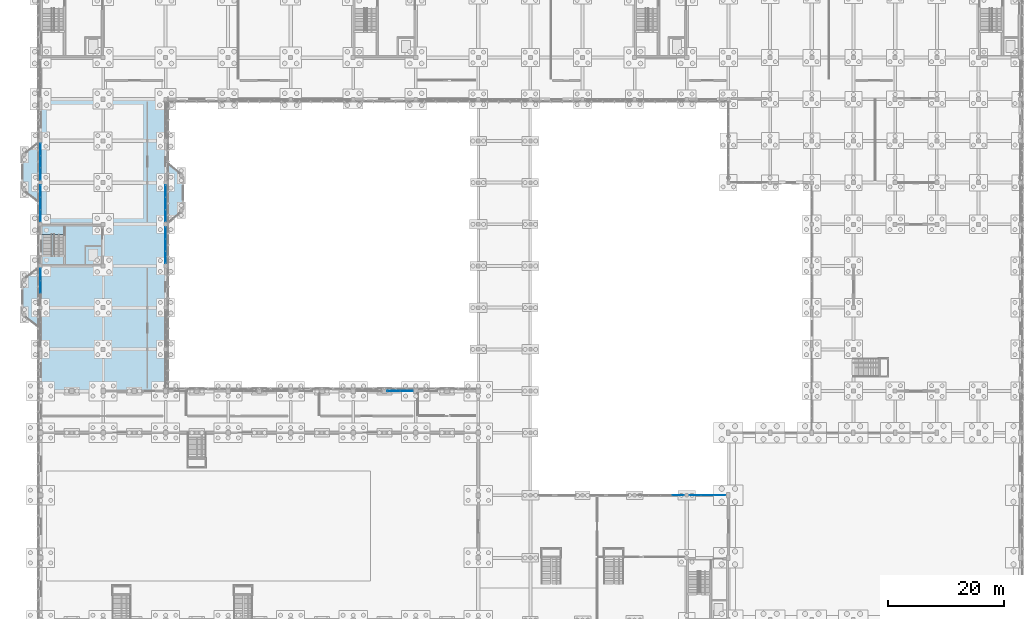
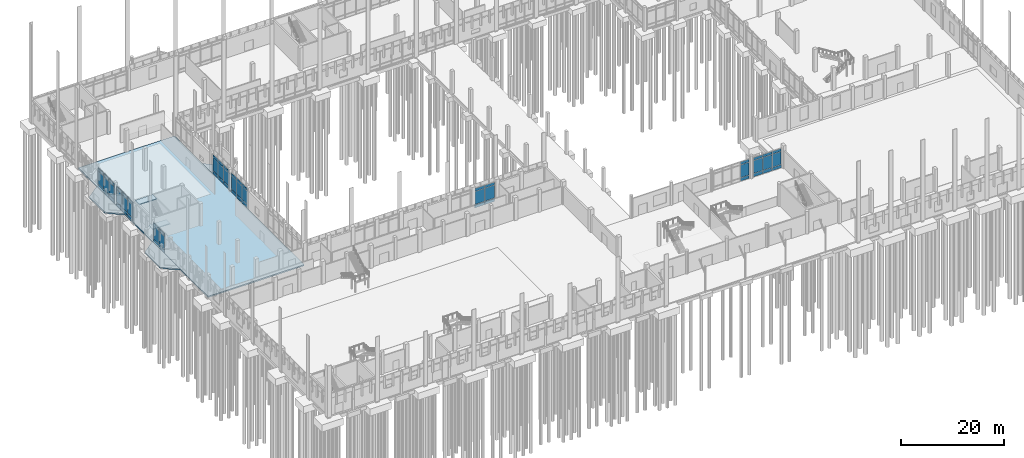
# One storey, part 74 of 109: 60 plates, 6 slabs, 9 elements without a shape of their own.
"""IFC4 building model written with IfcOpenShell, lengths in metres."""

from ifc_helpers import new_model, si_unit, direction, frame, origin, origin_2d, place, context, subcontext, project, spatial, polyline, rectangle, outline, extrude, material, layer, layer_set, type_object, element, aggregate, save


model = new_model("IFC4")

# Units and contexts
model_context = context("Model", 3, precision=1e-05, world=origin(), true_north=direction((0.0, 1.0)))
body_context = subcontext(model_context, "Body", "Model", "MODEL_VIEW")
ifc_project = project(units=[si_unit("LENGTHUNIT", "METRE"), si_unit("AREAUNIT", "SQUARE_METRE"), si_unit("VOLUMEUNIT", "CUBIC_METRE"), si_unit("PLANEANGLEUNIT", "RADIAN"), si_unit("MASSUNIT", "GRAM", prefix="KILO")], contexts=[model_context])

# Site, building, storey
site_placement = place(None, origin())
site = spatial("IfcSite", under=ifc_project, at=site_placement, CompositionType="ELEMENT")
building_placement = place(site_placement, origin())
building = spatial("IfcBuilding", under=site, at=building_placement, Name="Lusvemor Sports Hall", CompositionType="ELEMENT")
storey_placement = place(building_placement, origin())
storey = spatial("IfcBuildingStorey", under=building, at=storey_placement, Name="L00", CompositionType="ELEMENT", Elevation=0.0)

# Curtain wall, plates
ifc_material_1 = material(Name="Thermally broken bronze-anodized aluminium", Category="aluminium")
curtain_wall_type_1 = type_object("IfcCurtainWallType", Name="CW_COURT_C", PredefinedType="NOTDEFINED", material=ifc_material_1)
curtain_wall_1_placement = place(storey_placement, origin())
curtain_wall_1 = element("IfcCurtainWall", 1, at=curtain_wall_1_placement, inside=storey, type_object=curtain_wall_type_1, Name="Curtain Wall CW-V1N-L00-5-B", PredefinedType="NOTDEFINED")
ifc_material_2 = material(Name="Solar-control laminated double glazing", Category="glass")
ifc_layer_1 = layer(ifc_material_2, 0.028076171875)
ifc_layer_set_1 = layer_set([ifc_layer_1], Name="Solar-control laminated double glazing")
plate_type_1 = type_object("IfcPlateType", Name="CW_PAN_GLZ_28", PredefinedType="CURTAIN_PANEL", material=ifc_layer_set_1)
plate_1_placement = place(storey_placement, frame((60.981201171875, 46.800048828125, 0.8798828125), z_axis=(0.0, 0.0, 1.0), x_axis=(1.0, 0.0, 0.0)))
plate_1 = element("IfcPlate", 2, at=plate_1_placement, type_object=plate_type_1, Name="CW03 panel 1.2", PredefinedType="CURTAIN_PANEL", context=body_context, shape_type="SweptSolid", body=[
    extrude(rectangle(XDim=2.172607421875, YDim=0.028076171875, at=origin_2d()), origin(), (0.0, 0.0, 1.0), 3.0400390625),
])
plate_2_placement = place(storey_placement, frame((60.981201171875, 46.800048828125, 3.97998046875), z_axis=(0.0, 0.0, 1.0), x_axis=(1.0, 0.0, 0.0)))
plate_2 = element("IfcPlate", 3, at=plate_2_placement, type_object=plate_type_1, Name="CW03 panel 1.3", PredefinedType="CURTAIN_PANEL", context=body_context, shape_type="SweptSolid", body=[
    extrude(rectangle(XDim=2.172607421875, YDim=0.028076171875, at=origin_2d()), origin(), (0.0, 0.0, 1.0), 0.659912109375),
])
plate_3_placement = place(storey_placement, frame((63.21875, 46.800048828125, 0.8798828125), z_axis=(0.0, 0.0, 1.0), x_axis=(1.0, 0.0, 0.0)))
plate_3 = element("IfcPlate", 4, at=plate_3_placement, type_object=plate_type_1, Name="CW03 panel 2.2", PredefinedType="CURTAIN_PANEL", context=body_context, shape_type="SweptSolid", body=[
    extrude(rectangle(XDim=2.172607421875, YDim=0.028076171875, at=origin_2d()), origin(), (0.0, 0.0, 1.0), 3.0400390625),
])
plate_4_placement = place(storey_placement, frame((63.21875, 46.800048828125, 3.97998046875), z_axis=(0.0, 0.0, 1.0), x_axis=(1.0, 0.0, 0.0)))
plate_4 = element("IfcPlate", 5, at=plate_4_placement, type_object=plate_type_1, Name="CW03 panel 2.3", PredefinedType="CURTAIN_PANEL", context=body_context, shape_type="SweptSolid", body=[
    extrude(rectangle(XDim=2.172607421875, YDim=0.028076171875, at=origin_2d()), origin(), (0.0, 0.0, 1.0), 0.659912109375),
])

ifc_material_3 = material(Name="Thermally broken bronze-anodized aluminium", Category="aluminium")
curtain_wall_type_2 = type_object("IfcCurtainWallType", Name="CW_FOYER_A", PredefinedType="NOTDEFINED", material=ifc_material_3)
curtain_wall_2_placement = place(storey_placement, origin())
curtain_wall_2 = element("IfcCurtainWall", 6, at=curtain_wall_2_placement, inside=storey, type_object=curtain_wall_type_2, Name="Curtain Wall CW-V4N-L00-3", PredefinedType="NOTDEFINED")
plate_5_placement = place(storey_placement, frame((110.12744140625, 28.800048828125, 0.88232421875), z_axis=(0.0, 0.0, 1.0), x_axis=(1.0, 0.0, 0.0)))
plate_5 = element("IfcPlate", 7, at=plate_5_placement, type_object=plate_type_1, Name="CW01 panel 4.2", PredefinedType="CURTAIN_PANEL", context=body_context, shape_type="SweptSolid", body=[
    extrude(rectangle(XDim=1.925048828125, YDim=0.028076171875, at=origin_2d()), origin(), (0.0, 0.0, 1.0), 3.034912109375),
])
plate_6_placement = place(storey_placement, frame((110.12744140625, 28.800048828125, 3.982421875), z_axis=(0.0, 0.0, 1.0), x_axis=(1.0, 0.0, 0.0)))
plate_6 = element("IfcPlate", 8, at=plate_6_placement, type_object=plate_type_1, Name="CW01 panel 4.3", PredefinedType="CURTAIN_PANEL", context=body_context, shape_type="SweptSolid", body=[
    extrude(rectangle(XDim=1.925048828125, YDim=0.028076171875, at=origin_2d()), origin(), (0.0, 0.0, 1.0), 0.652587890625),
])

curtain_wall_3_placement = place(storey_placement, origin())
curtain_wall_3 = element("IfcCurtainWall", 9, at=curtain_wall_3_placement, inside=storey, type_object=curtain_wall_type_2, Name="Curtain Wall CW-V4N-L00-4", PredefinedType="NOTDEFINED")
plate_7_placement = place(storey_placement, frame((113.11083984375, 28.800048828125, 0.88232421875), z_axis=(0.0, 0.0, 1.0), x_axis=(1.0, 0.0, 0.0)))
plate_7 = element("IfcPlate", 10, at=plate_7_placement, type_object=plate_type_1, Name="CW01 panel 1.2", PredefinedType="CURTAIN_PANEL", context=body_context, shape_type="SweptSolid", body=[
    extrude(rectangle(XDim=2.001708984375, YDim=0.028076171875, at=origin_2d()), origin(), (0.0, 0.0, 1.0), 3.034912109375),
])
plate_8_placement = place(storey_placement, frame((113.11083984375, 28.800048828125, 3.982421875), z_axis=(0.0, 0.0, 1.0), x_axis=(1.0, 0.0, 0.0)))
plate_8 = element("IfcPlate", 11, at=plate_8_placement, type_object=plate_type_1, Name="CW01 panel 1.3", PredefinedType="CURTAIN_PANEL", context=body_context, shape_type="SweptSolid", body=[
    extrude(rectangle(XDim=2.001708984375, YDim=0.028076171875, at=origin_2d()), origin(), (0.0, 0.0, 1.0), 0.652587890625),
])
plate_9_placement = place(storey_placement, frame((115.199951171875, 28.800048828125, 0.88232421875), z_axis=(0.0, 0.0, 1.0), x_axis=(1.0, 0.0, 0.0)))
plate_9 = element("IfcPlate", 12, at=plate_9_placement, type_object=plate_type_1, Name="CW01 panel 2.2", PredefinedType="CURTAIN_PANEL", context=body_context, shape_type="SweptSolid", body=[
    extrude(rectangle(XDim=2.03662109375, YDim=0.028076171875, at=origin_2d()), origin(), (0.0, 0.0, 1.0), 3.034912109375),
])
plate_10_placement = place(storey_placement, frame((115.199951171875, 28.800048828125, 3.982421875), z_axis=(0.0, 0.0, 1.0), x_axis=(1.0, 0.0, 0.0)))
plate_10 = element("IfcPlate", 13, at=plate_10_placement, type_object=plate_type_1, Name="CW01 panel 2.3", PredefinedType="CURTAIN_PANEL", context=body_context, shape_type="SweptSolid", body=[
    extrude(rectangle(XDim=2.03662109375, YDim=0.028076171875, at=origin_2d()), origin(), (0.0, 0.0, 1.0), 0.652587890625),
])
plate_11_placement = place(storey_placement, frame((117.2890625, 28.800048828125, 0.88232421875), z_axis=(0.0, 0.0, 1.0), x_axis=(1.0, 0.0, 0.0)))
plate_11 = element("IfcPlate", 14, at=plate_11_placement, type_object=plate_type_1, Name="CW01 panel 3.2", PredefinedType="CURTAIN_PANEL", context=body_context, shape_type="SweptSolid", body=[
    extrude(rectangle(XDim=2.001708984375, YDim=0.028076171875, at=origin_2d()), origin(), (0.0, 0.0, 1.0), 3.034912109375),
])
plate_12_placement = place(storey_placement, frame((117.2890625, 28.800048828125, 3.982421875), z_axis=(0.0, 0.0, 1.0), x_axis=(1.0, 0.0, 0.0)))
plate_12 = element("IfcPlate", 15, at=plate_12_placement, type_object=plate_type_1, Name="CW01 panel 3.3", PredefinedType="CURTAIN_PANEL", context=body_context, shape_type="SweptSolid", body=[
    extrude(rectangle(XDim=2.001708984375, YDim=0.028076171875, at=origin_2d()), origin(), (0.0, 0.0, 1.0), 0.652587890625),
])

ifc_material_4 = material(Name="Thermally broken bronze-anodized aluminium", Category="aluminium")
curtain_wall_type_3 = type_object("IfcCurtainWallType", Name="CW_WING_B", PredefinedType="NOTDEFINED", material=ifc_material_4)
curtain_wall_4_placement = place(storey_placement, origin())
curtain_wall_4 = element("IfcCurtainWall", 16, at=curtain_wall_4_placement, inside=storey, type_object=curtain_wall_type_3, Name="Curtain Wall CW-L00-W-0-2", PredefinedType="NOTDEFINED")
plate_13_placement = place(storey_placement, frame((0.0, 64.800048828125, 0.8798828125), z_axis=(0.0, 0.0, 1.0), x_axis=(0.0, 1.0, 0.0)))
plate_13 = element("IfcPlate", 17, at=plate_13_placement, type_object=plate_type_1, Name="CW02 panel 2.2", PredefinedType="CURTAIN_PANEL", context=body_context, shape_type="SweptSolid", body=[
    extrude(rectangle(XDim=2.054931640625, YDim=0.028076171875, at=origin_2d()), origin(), (0.0, 0.0, 1.0), 3.06005859375),
])
plate_14_placement = place(storey_placement, frame((0.0, 64.800048828125, 4.0), z_axis=(0.0, 0.0, 1.0), x_axis=(0.0, 1.0, 0.0)))
plate_14 = element("IfcPlate", 18, at=plate_14_placement, type_object=plate_type_1, Name="CW02 panel 2.3", PredefinedType="CURTAIN_PANEL", context=body_context, shape_type="SweptSolid", body=[
    extrude(rectangle(XDim=2.054931640625, YDim=0.028076171875, at=origin_2d()), origin(), (0.0, 0.0, 1.0), 0.659912109375),
])
plate_15_placement = place(storey_placement, frame((0.0, 66.90380859375, 0.8798828125), z_axis=(0.0, 0.0, 1.0), x_axis=(0.0, 1.0, 0.0)))
plate_15 = element("IfcPlate", 19, at=plate_15_placement, type_object=plate_type_1, Name="CW02 panel 3.2", PredefinedType="CURTAIN_PANEL", context=body_context, shape_type="SweptSolid", body=[
    extrude(rectangle(XDim=2.0224609375, YDim=0.028076171875, at=origin_2d()), origin(), (0.0, 0.0, 1.0), 3.06005859375),
])
plate_16_placement = place(storey_placement, frame((0.0, 66.90380859375, 4.0), z_axis=(0.0, 0.0, 1.0), x_axis=(0.0, 1.0, 0.0)))
plate_16 = element("IfcPlate", 20, at=plate_16_placement, type_object=plate_type_1, Name="CW02 panel 3.3", PredefinedType="CURTAIN_PANEL", context=body_context, shape_type="SweptSolid", body=[
    extrude(rectangle(XDim=2.0224609375, YDim=0.028076171875, at=origin_2d()), origin(), (0.0, 0.0, 1.0), 0.659912109375),
])

curtain_wall_5_placement = place(storey_placement, origin())
curtain_wall_5 = element("IfcCurtainWall", 21, at=curtain_wall_5_placement, inside=storey, type_object=curtain_wall_type_3, Name="Curtain Wall CW-L00-W-0-4", PredefinedType="NOTDEFINED")
plate_17_placement = place(storey_placement, frame((0.0, 77.09619140625, 0.8798828125), z_axis=(0.0, 0.0, 1.0), x_axis=(0.0, 1.0, 0.0)))
plate_17 = element("IfcPlate", 22, at=plate_17_placement, type_object=plate_type_1, Name="CW02 panel 1.2", PredefinedType="CURTAIN_PANEL", context=body_context, shape_type="SweptSolid", body=[
    extrude(rectangle(XDim=2.0224609375, YDim=0.028076171875, at=origin_2d()), origin(), (0.0, 0.0, 1.0), 3.06005859375),
])
plate_18_placement = place(storey_placement, frame((0.0, 77.09619140625, 4.0), z_axis=(0.0, 0.0, 1.0), x_axis=(0.0, 1.0, 0.0)))
plate_18 = element("IfcPlate", 23, at=plate_18_placement, type_object=plate_type_1, Name="CW02 panel 1.3", PredefinedType="CURTAIN_PANEL", context=body_context, shape_type="SweptSolid", body=[
    extrude(rectangle(XDim=2.0224609375, YDim=0.028076171875, at=origin_2d()), origin(), (0.0, 0.0, 1.0), 0.659912109375),
])
plate_19_placement = place(storey_placement, frame((0.0, 79.199951171875, 0.8798828125), z_axis=(0.0, 0.0, 1.0), x_axis=(0.0, 1.0, 0.0)))
plate_19 = element("IfcPlate", 24, at=plate_19_placement, type_object=plate_type_1, Name="CW02 panel 2.2", PredefinedType="CURTAIN_PANEL", context=body_context, shape_type="SweptSolid", body=[
    extrude(rectangle(XDim=2.054931640625, YDim=0.028076171875, at=origin_2d()), origin(), (0.0, 0.0, 1.0), 3.06005859375),
])
plate_20_placement = place(storey_placement, frame((0.0, 79.199951171875, 4.0), z_axis=(0.0, 0.0, 1.0), x_axis=(0.0, 1.0, 0.0)))
plate_20 = element("IfcPlate", 25, at=plate_20_placement, type_object=plate_type_1, Name="CW02 panel 2.3", PredefinedType="CURTAIN_PANEL", context=body_context, shape_type="SweptSolid", body=[
    extrude(rectangle(XDim=2.054931640625, YDim=0.028076171875, at=origin_2d()), origin(), (0.0, 0.0, 1.0), 0.659912109375),
])
plate_21_placement = place(storey_placement, frame((0.0, 81.3037109375, 0.8798828125), z_axis=(0.0, 0.0, 1.0), x_axis=(0.0, 1.0, 0.0)))
plate_21 = element("IfcPlate", 26, at=plate_21_placement, type_object=plate_type_1, Name="CW02 panel 3.2", PredefinedType="CURTAIN_PANEL", context=body_context, shape_type="SweptSolid", body=[
    extrude(rectangle(XDim=2.0224609375, YDim=0.028076171875, at=origin_2d()), origin(), (0.0, 0.0, 1.0), 3.06005859375),
])
plate_22_placement = place(storey_placement, frame((0.0, 81.3037109375, 4.0), z_axis=(0.0, 0.0, 1.0), x_axis=(0.0, 1.0, 0.0)))
plate_22 = element("IfcPlate", 27, at=plate_22_placement, type_object=plate_type_1, Name="CW02 panel 3.3", PredefinedType="CURTAIN_PANEL", context=body_context, shape_type="SweptSolid", body=[
    extrude(rectangle(XDim=2.0224609375, YDim=0.028076171875, at=origin_2d()), origin(), (0.0, 0.0, 1.0), 0.659912109375),
])

curtain_wall_6_placement = place(storey_placement, origin())
curtain_wall_6 = element("IfcCurtainWall", 28, at=curtain_wall_6_placement, inside=storey, type_object=curtain_wall_type_3, Name="Curtain Wall CW-L00-W-0-5", PredefinedType="NOTDEFINED")
plate_23_placement = place(storey_placement, frame((0.0, 84.296142578125, 0.8798828125), z_axis=(0.0, 0.0, 1.0), x_axis=(0.0, 1.0, 0.0)))
plate_23 = element("IfcPlate", 29, at=plate_23_placement, type_object=plate_type_1, Name="CW02 panel 1.2", PredefinedType="CURTAIN_PANEL", context=body_context, shape_type="SweptSolid", body=[
    extrude(rectangle(XDim=2.0224609375, YDim=0.028076171875, at=origin_2d()), origin(), (0.0, 0.0, 1.0), 3.06005859375),
])
plate_24_placement = place(storey_placement, frame((0.0, 84.296142578125, 4.0), z_axis=(0.0, 0.0, 1.0), x_axis=(0.0, 1.0, 0.0)))
plate_24 = element("IfcPlate", 30, at=plate_24_placement, type_object=plate_type_1, Name="CW02 panel 1.3", PredefinedType="CURTAIN_PANEL", context=body_context, shape_type="SweptSolid", body=[
    extrude(rectangle(XDim=2.0224609375, YDim=0.028076171875, at=origin_2d()), origin(), (0.0, 0.0, 1.0), 0.659912109375),
])
plate_25_placement = place(storey_placement, frame((0.0, 86.39990234375, 0.8798828125), z_axis=(0.0, 0.0, 1.0), x_axis=(0.0, 1.0, 0.0)))
plate_25 = element("IfcPlate", 31, at=plate_25_placement, type_object=plate_type_1, Name="CW02 panel 2.2", PredefinedType="CURTAIN_PANEL", context=body_context, shape_type="SweptSolid", body=[
    extrude(rectangle(XDim=2.054931640625, YDim=0.028076171875, at=origin_2d()), origin(), (0.0, 0.0, 1.0), 3.06005859375),
])
plate_26_placement = place(storey_placement, frame((0.0, 86.39990234375, 4.0), z_axis=(0.0, 0.0, 1.0), x_axis=(0.0, 1.0, 0.0)))
plate_26 = element("IfcPlate", 32, at=plate_26_placement, type_object=plate_type_1, Name="CW02 panel 2.3", PredefinedType="CURTAIN_PANEL", context=body_context, shape_type="SweptSolid", body=[
    extrude(rectangle(XDim=2.054931640625, YDim=0.028076171875, at=origin_2d()), origin(), (0.0, 0.0, 1.0), 0.659912109375),
])
plate_27_placement = place(storey_placement, frame((0.0, 88.503662109375, 0.8798828125), z_axis=(0.0, 0.0, 1.0), x_axis=(0.0, 1.0, 0.0)))
plate_27 = element("IfcPlate", 33, at=plate_27_placement, type_object=plate_type_1, Name="CW02 panel 3.2", PredefinedType="CURTAIN_PANEL", context=body_context, shape_type="SweptSolid", body=[
    extrude(rectangle(XDim=2.0224609375, YDim=0.028076171875, at=origin_2d()), origin(), (0.0, 0.0, 1.0), 3.06005859375),
])
plate_28_placement = place(storey_placement, frame((0.0, 88.503662109375, 4.0), z_axis=(0.0, 0.0, 1.0), x_axis=(0.0, 1.0, 0.0)))
plate_28 = element("IfcPlate", 34, at=plate_28_placement, type_object=plate_type_1, Name="CW02 panel 3.3", PredefinedType="CURTAIN_PANEL", context=body_context, shape_type="SweptSolid", body=[
    extrude(rectangle(XDim=2.0224609375, YDim=0.028076171875, at=origin_2d()), origin(), (0.0, 0.0, 1.0), 0.659912109375),
])

curtain_wall_7_placement = place(storey_placement, origin())
curtain_wall_7 = element("IfcCurtainWall", 35, at=curtain_wall_7_placement, inside=storey, type_object=curtain_wall_type_3, Name="Curtain Wall CW-L00-E-4-3", PredefinedType="NOTDEFINED")
plate_29_placement = place(storey_placement, frame((21.60009765625, 74.103759765625, 0.8798828125), z_axis=(0.0, 0.0, 1.0), x_axis=(0.0, -1.0, 0.0)))
plate_29 = element("IfcPlate", 36, at=plate_29_placement, type_object=plate_type_1, Name="CW02 panel 1.2", PredefinedType="CURTAIN_PANEL", context=body_context, shape_type="SweptSolid", body=[
    extrude(rectangle(XDim=2.0224609375, YDim=0.028076171875, at=origin_2d()), origin(), (0.0, 0.0, 1.0), 3.06005859375),
])
plate_30_placement = place(storey_placement, frame((21.60009765625, 74.103759765625, 4.0), z_axis=(0.0, 0.0, 1.0), x_axis=(0.0, -1.0, 0.0)))
plate_30 = element("IfcPlate", 37, at=plate_30_placement, type_object=plate_type_1, Name="CW02 panel 1.3", PredefinedType="CURTAIN_PANEL", context=body_context, shape_type="SweptSolid", body=[
    extrude(rectangle(XDim=2.0224609375, YDim=0.028076171875, at=origin_2d()), origin(), (0.0, 0.0, 1.0), 0.659912109375),
])
plate_31_placement = place(storey_placement, frame((21.60009765625, 72.0, 0.8798828125), z_axis=(0.0, 0.0, 1.0), x_axis=(0.0, -1.0, 0.0)))
plate_31 = element("IfcPlate", 38, at=plate_31_placement, type_object=plate_type_1, Name="CW02 panel 2.2", PredefinedType="CURTAIN_PANEL", context=body_context, shape_type="SweptSolid", body=[
    extrude(rectangle(XDim=2.054931640625, YDim=0.028076171875, at=origin_2d()), origin(), (0.0, 0.0, 1.0), 3.06005859375),
])
plate_32_placement = place(storey_placement, frame((21.60009765625, 72.0, 4.0), z_axis=(0.0, 0.0, 1.0), x_axis=(0.0, -1.0, 0.0)))
plate_32 = element("IfcPlate", 39, at=plate_32_placement, type_object=plate_type_1, Name="CW02 panel 2.3", PredefinedType="CURTAIN_PANEL", context=body_context, shape_type="SweptSolid", body=[
    extrude(rectangle(XDim=2.054931640625, YDim=0.028076171875, at=origin_2d()), origin(), (0.0, 0.0, 1.0), 0.659912109375),
])
plate_33_placement = place(storey_placement, frame((21.60009765625, 69.896240234375, 0.8798828125), z_axis=(0.0, 0.0, 1.0), x_axis=(0.0, -1.0, 0.0)))
plate_33 = element("IfcPlate", 40, at=plate_33_placement, type_object=plate_type_1, Name="CW02 panel 3.2", PredefinedType="CURTAIN_PANEL", context=body_context, shape_type="SweptSolid", body=[
    extrude(rectangle(XDim=2.0224609375, YDim=0.028076171875, at=origin_2d()), origin(), (0.0, 0.0, 1.0), 3.06005859375),
])
plate_34_placement = place(storey_placement, frame((21.60009765625, 69.896240234375, 4.0), z_axis=(0.0, 0.0, 1.0), x_axis=(0.0, -1.0, 0.0)))
plate_34 = element("IfcPlate", 41, at=plate_34_placement, type_object=plate_type_1, Name="CW02 panel 3.3", PredefinedType="CURTAIN_PANEL", context=body_context, shape_type="SweptSolid", body=[
    extrude(rectangle(XDim=2.0224609375, YDim=0.028076171875, at=origin_2d()), origin(), (0.0, 0.0, 1.0), 0.659912109375),
])

curtain_wall_8_placement = place(storey_placement, origin())
curtain_wall_8 = element("IfcCurtainWall", 42, at=curtain_wall_8_placement, inside=storey, type_object=curtain_wall_type_3, Name="Curtain Wall CW-L00-E-4-4", PredefinedType="NOTDEFINED")
plate_35_placement = place(storey_placement, frame((21.60009765625, 81.3037109375, 0.8798828125), z_axis=(0.0, 0.0, 1.0), x_axis=(0.0, -1.0, 0.0)))
plate_35 = element("IfcPlate", 43, at=plate_35_placement, type_object=plate_type_1, Name="CW02 panel 1.2", PredefinedType="CURTAIN_PANEL", context=body_context, shape_type="SweptSolid", body=[
    extrude(rectangle(XDim=2.0224609375, YDim=0.028076171875, at=origin_2d()), origin(), (0.0, 0.0, 1.0), 3.06005859375),
])
plate_36_placement = place(storey_placement, frame((21.60009765625, 81.3037109375, 4.0), z_axis=(0.0, 0.0, 1.0), x_axis=(0.0, -1.0, 0.0)))
plate_36 = element("IfcPlate", 44, at=plate_36_placement, type_object=plate_type_1, Name="CW02 panel 1.3", PredefinedType="CURTAIN_PANEL", context=body_context, shape_type="SweptSolid", body=[
    extrude(rectangle(XDim=2.0224609375, YDim=0.028076171875, at=origin_2d()), origin(), (0.0, 0.0, 1.0), 0.659912109375),
])
plate_37_placement = place(storey_placement, frame((21.60009765625, 79.199951171875, 0.8798828125), z_axis=(0.0, 0.0, 1.0), x_axis=(0.0, -1.0, 0.0)))
plate_37 = element("IfcPlate", 45, at=plate_37_placement, type_object=plate_type_1, Name="CW02 panel 2.2", PredefinedType="CURTAIN_PANEL", context=body_context, shape_type="SweptSolid", body=[
    extrude(rectangle(XDim=2.054931640625, YDim=0.028076171875, at=origin_2d()), origin(), (0.0, 0.0, 1.0), 3.06005859375),
])
plate_38_placement = place(storey_placement, frame((21.60009765625, 79.199951171875, 4.0), z_axis=(0.0, 0.0, 1.0), x_axis=(0.0, -1.0, 0.0)))
plate_38 = element("IfcPlate", 46, at=plate_38_placement, type_object=plate_type_1, Name="CW02 panel 2.3", PredefinedType="CURTAIN_PANEL", context=body_context, shape_type="SweptSolid", body=[
    extrude(rectangle(XDim=2.054931640625, YDim=0.028076171875, at=origin_2d()), origin(), (0.0, 0.0, 1.0), 0.659912109375),
])
plate_39_placement = place(storey_placement, frame((21.60009765625, 77.09619140625, 0.8798828125), z_axis=(0.0, 0.0, 1.0), x_axis=(0.0, -1.0, 0.0)))
plate_39 = element("IfcPlate", 47, at=plate_39_placement, type_object=plate_type_1, Name="CW02 panel 3.2", PredefinedType="CURTAIN_PANEL", context=body_context, shape_type="SweptSolid", body=[
    extrude(rectangle(XDim=2.0224609375, YDim=0.028076171875, at=origin_2d()), origin(), (0.0, 0.0, 1.0), 3.06005859375),
])
plate_40_placement = place(storey_placement, frame((21.60009765625, 77.09619140625, 4.0), z_axis=(0.0, 0.0, 1.0), x_axis=(0.0, -1.0, 0.0)))
plate_40 = element("IfcPlate", 48, at=plate_40_placement, type_object=plate_type_1, Name="CW02 panel 3.3", PredefinedType="CURTAIN_PANEL", context=body_context, shape_type="SweptSolid", body=[
    extrude(rectangle(XDim=2.0224609375, YDim=0.028076171875, at=origin_2d()), origin(), (0.0, 0.0, 1.0), 0.659912109375),
])

# Plate
ifc_material_5 = material(Name="Emerald polychrome glazed ceramic cladding on Concrete C40/50 backing", Category="concrete")
ifc_layer_2 = layer(ifc_material_5, 0.048095703125)
ifc_layer_set_2 = layer_set([ifc_layer_2], Name="Emerald polychrome glazed ceramic cladding on Concrete C40/50 backing")
plate_type_2 = type_object("IfcPlateType", Name="CW_PAN_SPN_48", PredefinedType="CURTAIN_PANEL", material=ifc_layer_set_2)
plate_41_placement = place(storey_placement, frame((60.981201171875, 46.800048828125, 0.06005859375), z_axis=(0.0, 0.0, 1.0), x_axis=(1.0, 0.0, 0.0)))
plate_41 = element("IfcPlate", 49, at=plate_41_placement, type_object=plate_type_2, Name="CW03 panel 1.1", PredefinedType="CURTAIN_PANEL", context=body_context, shape_type="SweptSolid", body=[
    extrude(rectangle(XDim=2.172607421875, YDim=0.048095703125, at=origin_2d()), origin(), (0.0, 0.0, 1.0), 0.760009765625),
])

plate_42_placement = place(storey_placement, frame((63.21875, 46.800048828125, 0.06005859375), z_axis=(0.0, 0.0, 1.0), x_axis=(1.0, 0.0, 0.0)))
plate_42 = element("IfcPlate", 50, at=plate_42_placement, type_object=plate_type_2, Name="CW03 panel 2.1", PredefinedType="CURTAIN_PANEL", context=body_context, shape_type="SweptSolid", body=[
    extrude(rectangle(XDim=2.172607421875, YDim=0.048095703125, at=origin_2d()), origin(), (0.0, 0.0, 1.0), 0.760009765625),
])

aggregate(curtain_wall_1, [plate_41, plate_1, plate_2, plate_42, plate_3, plate_4])

plate_43_placement = place(storey_placement, frame((110.12744140625, 28.800048828125, 0.06494140625), z_axis=(0.0, 0.0, 1.0), x_axis=(1.0, 0.0, 0.0)))
plate_43 = element("IfcPlate", 51, at=plate_43_placement, type_object=plate_type_2, Name="CW01 panel 4.1", PredefinedType="CURTAIN_PANEL", context=body_context, shape_type="SweptSolid", body=[
    extrude(rectangle(XDim=1.925048828125, YDim=0.048095703125, at=origin_2d()), origin(), (0.0, 0.0, 1.0), 0.75244140625),
])

aggregate(curtain_wall_2, [plate_43, plate_5, plate_6])

plate_44_placement = place(storey_placement, frame((113.11083984375, 28.800048828125, 0.06494140625), z_axis=(0.0, 0.0, 1.0), x_axis=(1.0, 0.0, 0.0)))
plate_44 = element("IfcPlate", 52, at=plate_44_placement, type_object=plate_type_2, Name="CW01 panel 1.1", PredefinedType="CURTAIN_PANEL", context=body_context, shape_type="SweptSolid", body=[
    extrude(rectangle(XDim=2.001708984375, YDim=0.048095703125, at=origin_2d()), origin(), (0.0, 0.0, 1.0), 0.75244140625),
])

plate_45_placement = place(storey_placement, frame((115.199951171875, 28.800048828125, 0.06494140625), z_axis=(0.0, 0.0, 1.0), x_axis=(1.0, 0.0, 0.0)))
plate_45 = element("IfcPlate", 53, at=plate_45_placement, type_object=plate_type_2, Name="CW01 panel 2.1", PredefinedType="CURTAIN_PANEL", context=body_context, shape_type="SweptSolid", body=[
    extrude(rectangle(XDim=2.03662109375, YDim=0.048095703125, at=origin_2d()), origin(), (0.0, 0.0, 1.0), 0.75244140625),
])

plate_46_placement = place(storey_placement, frame((117.2890625, 28.800048828125, 0.06494140625), z_axis=(0.0, 0.0, 1.0), x_axis=(1.0, 0.0, 0.0)))
plate_46 = element("IfcPlate", 54, at=plate_46_placement, type_object=plate_type_2, Name="CW01 panel 3.1", PredefinedType="CURTAIN_PANEL", context=body_context, shape_type="SweptSolid", body=[
    extrude(rectangle(XDim=2.001708984375, YDim=0.048095703125, at=origin_2d()), origin(), (0.0, 0.0, 1.0), 0.75244140625),
])

aggregate(curtain_wall_3, [plate_44, plate_7, plate_8, plate_45, plate_9, plate_10, plate_46, plate_11, plate_12])

plate_47_placement = place(storey_placement, frame((0.0, 64.800048828125, 0.06005859375), z_axis=(0.0, 0.0, 1.0), x_axis=(0.0, 1.0, 0.0)))
plate_47 = element("IfcPlate", 55, at=plate_47_placement, type_object=plate_type_2, Name="CW02 panel 2.1", PredefinedType="CURTAIN_PANEL", context=body_context, shape_type="SweptSolid", body=[
    extrude(rectangle(XDim=2.054931640625, YDim=0.048095703125, at=origin_2d()), origin(), (0.0, 0.0, 1.0), 0.760009765625),
])

plate_48_placement = place(storey_placement, frame((0.0, 66.90380859375, 0.06005859375), z_axis=(0.0, 0.0, 1.0), x_axis=(0.0, 1.0, 0.0)))
plate_48 = element("IfcPlate", 56, at=plate_48_placement, type_object=plate_type_2, Name="CW02 panel 3.1", PredefinedType="CURTAIN_PANEL", context=body_context, shape_type="SweptSolid", body=[
    extrude(rectangle(XDim=2.0224609375, YDim=0.048095703125, at=origin_2d()), origin(), (0.0, 0.0, 1.0), 0.760009765625),
])

aggregate(curtain_wall_4, [plate_47, plate_13, plate_14, plate_48, plate_15, plate_16])

plate_49_placement = place(storey_placement, frame((0.0, 77.09619140625, 0.06005859375), z_axis=(0.0, 0.0, 1.0), x_axis=(0.0, 1.0, 0.0)))
plate_49 = element("IfcPlate", 57, at=plate_49_placement, type_object=plate_type_2, Name="CW02 panel 1.1", PredefinedType="CURTAIN_PANEL", context=body_context, shape_type="SweptSolid", body=[
    extrude(rectangle(XDim=2.0224609375, YDim=0.048095703125, at=origin_2d()), origin(), (0.0, 0.0, 1.0), 0.760009765625),
])

plate_50_placement = place(storey_placement, frame((0.0, 79.199951171875, 0.06005859375), z_axis=(0.0, 0.0, 1.0), x_axis=(0.0, 1.0, 0.0)))
plate_50 = element("IfcPlate", 58, at=plate_50_placement, type_object=plate_type_2, Name="CW02 panel 2.1", PredefinedType="CURTAIN_PANEL", context=body_context, shape_type="SweptSolid", body=[
    extrude(rectangle(XDim=2.054931640625, YDim=0.048095703125, at=origin_2d()), origin(), (0.0, 0.0, 1.0), 0.760009765625),
])

plate_51_placement = place(storey_placement, frame((0.0, 81.3037109375, 0.06005859375), z_axis=(0.0, 0.0, 1.0), x_axis=(0.0, 1.0, 0.0)))
plate_51 = element("IfcPlate", 59, at=plate_51_placement, type_object=plate_type_2, Name="CW02 panel 3.1", PredefinedType="CURTAIN_PANEL", context=body_context, shape_type="SweptSolid", body=[
    extrude(rectangle(XDim=2.0224609375, YDim=0.048095703125, at=origin_2d()), origin(), (0.0, 0.0, 1.0), 0.760009765625),
])

aggregate(curtain_wall_5, [plate_49, plate_17, plate_18, plate_50, plate_19, plate_20, plate_51, plate_21, plate_22])

plate_52_placement = place(storey_placement, frame((0.0, 84.296142578125, 0.06005859375), z_axis=(0.0, 0.0, 1.0), x_axis=(0.0, 1.0, 0.0)))
plate_52 = element("IfcPlate", 60, at=plate_52_placement, type_object=plate_type_2, Name="CW02 panel 1.1", PredefinedType="CURTAIN_PANEL", context=body_context, shape_type="SweptSolid", body=[
    extrude(rectangle(XDim=2.0224609375, YDim=0.048095703125, at=origin_2d()), origin(), (0.0, 0.0, 1.0), 0.760009765625),
])

plate_53_placement = place(storey_placement, frame((0.0, 86.39990234375, 0.06005859375), z_axis=(0.0, 0.0, 1.0), x_axis=(0.0, 1.0, 0.0)))
plate_53 = element("IfcPlate", 61, at=plate_53_placement, type_object=plate_type_2, Name="CW02 panel 2.1", PredefinedType="CURTAIN_PANEL", context=body_context, shape_type="SweptSolid", body=[
    extrude(rectangle(XDim=2.054931640625, YDim=0.048095703125, at=origin_2d()), origin(), (0.0, 0.0, 1.0), 0.760009765625),
])

plate_54_placement = place(storey_placement, frame((0.0, 88.503662109375, 0.06005859375), z_axis=(0.0, 0.0, 1.0), x_axis=(0.0, 1.0, 0.0)))
plate_54 = element("IfcPlate", 62, at=plate_54_placement, type_object=plate_type_2, Name="CW02 panel 3.1", PredefinedType="CURTAIN_PANEL", context=body_context, shape_type="SweptSolid", body=[
    extrude(rectangle(XDim=2.0224609375, YDim=0.048095703125, at=origin_2d()), origin(), (0.0, 0.0, 1.0), 0.760009765625),
])

aggregate(curtain_wall_6, [plate_52, plate_23, plate_24, plate_53, plate_25, plate_26, plate_54, plate_27, plate_28])

plate_55_placement = place(storey_placement, frame((21.60009765625, 74.103759765625, 0.06005859375), z_axis=(0.0, 0.0, 1.0), x_axis=(0.0, -1.0, 0.0)))
plate_55 = element("IfcPlate", 63, at=plate_55_placement, type_object=plate_type_2, Name="CW02 panel 1.1", PredefinedType="CURTAIN_PANEL", context=body_context, shape_type="SweptSolid", body=[
    extrude(rectangle(XDim=2.0224609375, YDim=0.048095703125, at=origin_2d()), origin(), (0.0, 0.0, 1.0), 0.760009765625),
])

plate_56_placement = place(storey_placement, frame((21.60009765625, 72.0, 0.06005859375), z_axis=(0.0, 0.0, 1.0), x_axis=(0.0, -1.0, 0.0)))
plate_56 = element("IfcPlate", 64, at=plate_56_placement, type_object=plate_type_2, Name="CW02 panel 2.1", PredefinedType="CURTAIN_PANEL", context=body_context, shape_type="SweptSolid", body=[
    extrude(rectangle(XDim=2.054931640625, YDim=0.048095703125, at=origin_2d()), origin(), (0.0, 0.0, 1.0), 0.760009765625),
])

plate_57_placement = place(storey_placement, frame((21.60009765625, 69.896240234375, 0.06005859375), z_axis=(0.0, 0.0, 1.0), x_axis=(0.0, -1.0, 0.0)))
plate_57 = element("IfcPlate", 65, at=plate_57_placement, type_object=plate_type_2, Name="CW02 panel 3.1", PredefinedType="CURTAIN_PANEL", context=body_context, shape_type="SweptSolid", body=[
    extrude(rectangle(XDim=2.0224609375, YDim=0.048095703125, at=origin_2d()), origin(), (0.0, 0.0, 1.0), 0.760009765625),
])

aggregate(curtain_wall_7, [plate_55, plate_29, plate_30, plate_56, plate_31, plate_32, plate_57, plate_33, plate_34])

plate_58_placement = place(storey_placement, frame((21.60009765625, 81.3037109375, 0.06005859375), z_axis=(0.0, 0.0, 1.0), x_axis=(0.0, -1.0, 0.0)))
plate_58 = element("IfcPlate", 66, at=plate_58_placement, type_object=plate_type_2, Name="CW02 panel 1.1", PredefinedType="CURTAIN_PANEL", context=body_context, shape_type="SweptSolid", body=[
    extrude(rectangle(XDim=2.0224609375, YDim=0.048095703125, at=origin_2d()), origin(), (0.0, 0.0, 1.0), 0.760009765625),
])

plate_59_placement = place(storey_placement, frame((21.60009765625, 79.199951171875, 0.06005859375), z_axis=(0.0, 0.0, 1.0), x_axis=(0.0, -1.0, 0.0)))
plate_59 = element("IfcPlate", 67, at=plate_59_placement, type_object=plate_type_2, Name="CW02 panel 2.1", PredefinedType="CURTAIN_PANEL", context=body_context, shape_type="SweptSolid", body=[
    extrude(rectangle(XDim=2.054931640625, YDim=0.048095703125, at=origin_2d()), origin(), (0.0, 0.0, 1.0), 0.760009765625),
])

plate_60_placement = place(storey_placement, frame((21.60009765625, 77.09619140625, 0.06005859375), z_axis=(0.0, 0.0, 1.0), x_axis=(0.0, -1.0, 0.0)))
plate_60 = element("IfcPlate", 68, at=plate_60_placement, type_object=plate_type_2, Name="CW02 panel 3.1", PredefinedType="CURTAIN_PANEL", context=body_context, shape_type="SweptSolid", body=[
    extrude(rectangle(XDim=2.0224609375, YDim=0.048095703125, at=origin_2d()), origin(), (0.0, 0.0, 1.0), 0.760009765625),
])

aggregate(curtain_wall_8, [plate_58, plate_35, plate_36, plate_59, plate_37, plate_38, plate_60, plate_39, plate_40])

# Slabs
ifc_material_6 = material(Name="Concrete C40/50", Category="concrete")
ifc_layer_3 = layer(ifc_material_6, 0.300048828125)
ifc_layer_set_3 = layer_set([ifc_layer_3], Name="Concrete C40/50")
slab_type_1 = type_object("IfcSlabType", Name="SLAB_BASE_300", PredefinedType="BASESLAB", material=ifc_layer_set_3)
slab_1_placement = place(storey_placement, frame((0.0, 0.0, -0.300048828125)))
element("IfcSlab", 69, at=slab_1_placement, inside=storey, type_object=slab_type_1, Name="Slab L00 V5-WEST", PredefinedType="BASESLAB", context=body_context, shape_type="SweptSolid", body=[
    extrude(outline(polyline([(0.0, 46.800048828125), (21.60009765625, 46.800048828125), (21.60009765625, 97.199951171875), (0.0, 97.199951171875), (0.0, 46.800048828125)])), origin(), (0.0, 0.0, 1.0), 0.300048828125),
])
slab_2_placement = place(storey_placement, frame((0.0, 0.0, -0.300048828125)))
element("IfcSlab", 70, at=slab_2_placement, inside=storey, type_object=slab_type_1, Name="Bow Pavilion Slab BOW-W1 (L00)", PredefinedType="BASESLAB", context=body_context, shape_type="SweptSolid", body=[
    extrude(outline(polyline([(0.0, 57.60009765625), (-3.10009765625, 60.0), (-3.10009765625, 66.0), (0.0, 68.39990234375), (0.0, 57.60009765625)])), origin(), (0.0, 0.0, 1.0), 0.300048828125),
])
slab_3_placement = place(storey_placement, frame((0.0, 0.0, -0.300048828125)))
element("IfcSlab", 71, at=slab_3_placement, inside=storey, type_object=slab_type_1, Name="Bow Pavilion Slab BOW-W2 (L00)", PredefinedType="BASESLAB", context=body_context, shape_type="SweptSolid", body=[
    extrude(outline(polyline([(0.0, 79.199951171875), (-3.10009765625, 81.60009765625), (-3.10009765625, 87.60009765625), (0.0, 90.0), (0.0, 79.199951171875)])), origin(), (0.0, 0.0, 1.0), 0.300048828125),
])
slab_4_placement = place(storey_placement, frame((0.0, 0.0, -0.300048828125)))
element("IfcSlab", 72, at=slab_4_placement, inside=storey, type_object=slab_type_1, Name="Bow Pavilion Slab BOW-CT (L00)", PredefinedType="BASESLAB", context=body_context, shape_type="SweptSolid", body=[
    extrude(outline(polyline([(21.60009765625, 86.39990234375), (24.60009765625, 84.0), (24.60009765625, 78.0), (21.60009765625, 75.60009765625), (21.60009765625, 86.39990234375)])), origin(), (0.0, 0.0, 1.0), 0.300048828125),
])

# Stair, slabs
ifc_material_7 = material(Name="Concrete C40/50", Category="concrete")
stair_type = type_object("IfcStairType", Name="STAIR_CORE_540_C", PredefinedType="HALF_TURN_STAIR", material=ifc_material_7)
stair_placement = place(storey_placement, origin())
stair = element("IfcStair", 73, at=stair_placement, inside=storey, type_object=stair_type, Name="Escape Stair C3 (L00)", PredefinedType="HALF_TURN_STAIR")
ifc_material_8 = material(Name="Concrete C40/50", Category="concrete")
ifc_layer_4 = layer(ifc_material_8, 0.199951171875)
ifc_layer_set_4 = layer_set([ifc_layer_4], Name="Concrete C40/50")
slab_type_2 = type_object("IfcSlabType", Name="SLAB_LAND_200", PredefinedType="LANDING", material=ifc_layer_set_4)
slab_5_placement = place(storey_placement, frame((0.0, 0.0, 2.5)))
slab_5 = element("IfcSlab", 74, at=slab_5_placement, type_object=slab_type_2, Name="ST05 landing 1", PredefinedType="LANDING", context=body_context, shape_type="SweptSolid", body=[
    extrude(outline(polyline([(0.179931640625, 68.580078125), (4.1201171875, 68.580078125), (4.1201171875, 70.139892578125), (0.179931640625, 70.139892578125), (0.179931640625, 68.580078125)])), origin(), (0.0, 0.0, 1.0), 0.199951171875),
])
slab_6_placement = place(storey_placement, frame((0.0, 0.0, 5.199951171875)))
slab_6 = element("IfcSlab", 75, at=slab_6_placement, type_object=slab_type_2, Name="ST05 landing 2", PredefinedType="LANDING", context=body_context, shape_type="SweptSolid", body=[
    extrude(outline(polyline([(0.179931640625, 73.840087890625), (4.1201171875, 73.840087890625), (4.1201171875, 75.419921875), (0.179931640625, 75.419921875), (0.179931640625, 73.840087890625)])), origin(), (0.0, 0.0, 1.0), 0.199951171875),
])
aggregate(stair, [slab_5, slab_6])

save(model, "model.ifc")
